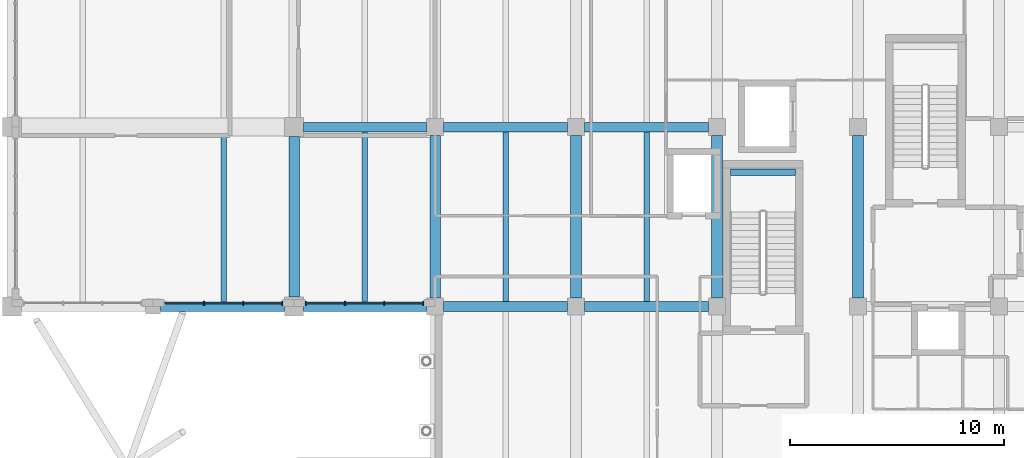
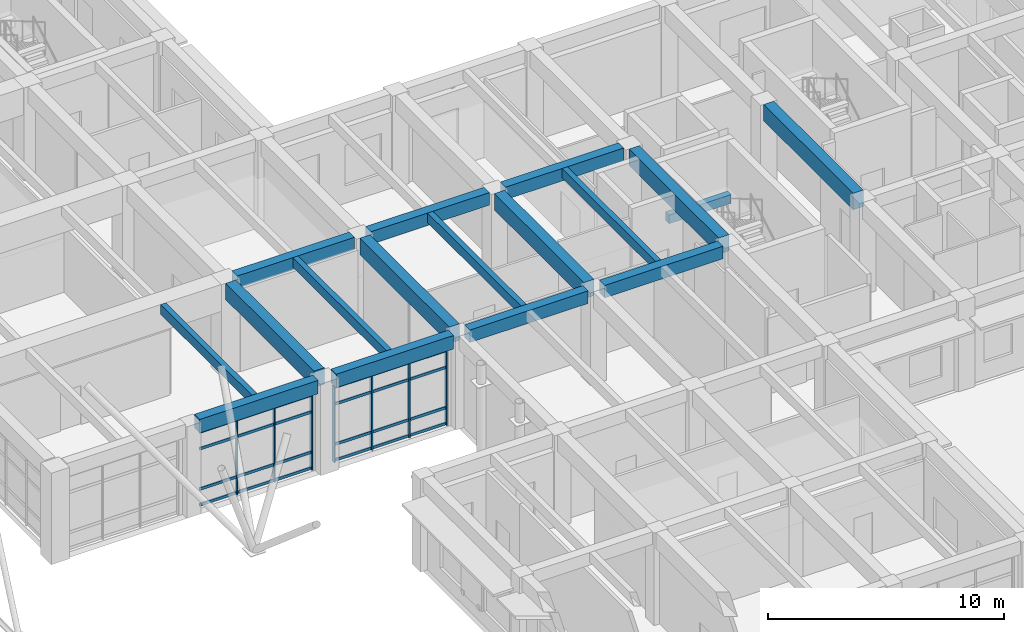
# One storey, part 28 of 75: 17 beams, 15 members, 2 elements without a shape of their own.
"""IFC4 building model written with IfcOpenShell, lengths in metres."""

from ifc_helpers import new_model, si_unit, direction, frame, origin, origin_2d, place, context, subcontext, project, spatial, rectangle, extrude, material, layer, layer_set, material_profile, profile_set, type_object, element, aggregate, save


model = new_model("IFC4")

# Units and contexts
model_context = context("Model", 3, precision=1e-05, world=origin(), true_north=direction((0.0, 1.0)))
body_context = subcontext(model_context, "Body", "Model", "MODEL_VIEW")
ifc_project = project(units=[si_unit("LENGTHUNIT", "METRE"), si_unit("AREAUNIT", "SQUARE_METRE"), si_unit("VOLUMEUNIT", "CUBIC_METRE"), si_unit("PLANEANGLEUNIT", "RADIAN"), si_unit("MASSUNIT", "GRAM", prefix="KILO")], contexts=[model_context])

# Site, building, storey
site_placement = place(None, origin())
site = spatial("IfcSite", under=ifc_project, at=site_placement, CompositionType="ELEMENT")
building_placement = place(site_placement, origin())
building = spatial("IfcBuilding", under=site, at=building_placement, Name="Kolvaren Faculty of Natural Sciences", CompositionType="ELEMENT")
storey_placement = place(building_placement, frame((0.0, 0.0, 5.39990234375)))
storey = spatial("IfcBuildingStorey", under=building, at=storey_placement, Name="L01", CompositionType="ELEMENT", Elevation=5.39990234375)

# Beam
ifc_material_1 = material(Name="Concrete C40/50", Category="concrete")
ifc_material_profile_1 = material_profile(ifc_material_1, rectangle(XDim=0.300048828125, YDim=0.449951171875, at=origin_2d()), Name="RC LNT 300x450")
ifc_profile_set_1 = profile_set([ifc_material_profile_1], Name="Concrete C40/50")
beam_type_1 = type_object("IfcBeamType", Name="CoreCouplingLintel_300x450", PredefinedType="LINTEL", material=ifc_profile_set_1)
beam_1_placement = place(storey_placement, frame((152.625, 73.679931640625, 1.97509765625), z_axis=(1.0, 0.0, 0.0), x_axis=(0.0, 1.0, 0.0)))
element("IfcBeam", 1, at=beam_1_placement, inside=storey, type_object=beam_type_1, Name="L01 ST-2 half-landing support lintel", PredefinedType="LINTEL", context=body_context, shape_type="SweptSolid", body=[
    extrude(rectangle(XDim=0.300048828125, YDim=0.449951171875, at=origin_2d()), origin(), (0.0, 0.0, 1.0), 3.050048828125),
])

# Curtain wall, members
ifc_material_2 = material(Name="Thermally broken anodised aluminium framing", Category="aluminium")
ifc_layer = layer(ifc_material_2, 0.179931640625)
ifc_layer_set = layer_set([ifc_layer], Name="Thermally broken anodised aluminium framing")
curtain_wall_type = type_object("IfcCurtainWallType", Name="CommonsCurtainWall_CW02", PredefinedType="NOTDEFINED", material=ifc_layer_set)
curtain_wall_1_placement = place(storey_placement, origin())
curtain_wall_1 = element("IfcCurtainWall", 2, at=curtain_wall_1_placement, inside=storey, type_object=curtain_wall_type, Name="L01 unitised curtain wall CW-02 (CW-L01-030)", PredefinedType="NOTDEFINED")
ifc_material_profile_2 = material_profile(ifc_material_2, rectangle(XDim=0.06005859375, YDim=0.179931640625, at=origin_2d()), Name="ALU MUL 60x180")
ifc_profile_set_2 = profile_set([ifc_material_profile_2], Name="Thermally broken anodised aluminium framing")
member_type_1 = type_object("IfcMemberType", Name="CurtainMullion_60x180", PredefinedType="MULLION", material=ifc_profile_set_2)
member_1_placement = place(storey_placement, frame((138.25, 67.56005859375, 0.0), z_axis=(0.0, 0.0, 1.0), x_axis=(-1.0, 0.0, 0.0)))
member_1 = element("IfcMember", 3, at=member_1_placement, type_object=member_type_1, Name="CW-L01-030 vertical mullion 1", PredefinedType="MULLION", context=body_context, shape_type="SweptSolid", body=[
    extrude(rectangle(XDim=0.06005859375, YDim=0.179931640625, at=origin_2d()), origin(), (0.0, 0.0, 1.0), 3.93505859375),
])
member_2_placement = place(storey_placement, frame((136.416748046875, 67.56005859375, 0.0), z_axis=(0.0, 0.0, 1.0), x_axis=(-1.0, 0.0, 0.0)))
member_2 = element("IfcMember", 4, at=member_2_placement, type_object=member_type_1, Name="CW-L01-030 vertical mullion 2", PredefinedType="MULLION", context=body_context, shape_type="SweptSolid", body=[
    extrude(rectangle(XDim=0.06005859375, YDim=0.179931640625, at=origin_2d()), origin(), (0.0, 0.0, 1.0), 3.93505859375),
])
member_3_placement = place(storey_placement, frame((134.583251953125, 67.56005859375, 0.0), z_axis=(0.0, 0.0, 1.0), x_axis=(-1.0, 0.0, 0.0)))
member_3 = element("IfcMember", 5, at=member_3_placement, type_object=member_type_1, Name="CW-L01-030 vertical mullion 3", PredefinedType="MULLION", context=body_context, shape_type="SweptSolid", body=[
    extrude(rectangle(XDim=0.06005859375, YDim=0.179931640625, at=origin_2d()), origin(), (0.0, 0.0, 1.0), 3.93505859375),
])
member_4_placement = place(storey_placement, frame((132.75, 67.56005859375, 0.0), z_axis=(0.0, 0.0, 1.0), x_axis=(-1.0, 0.0, 0.0)))
member_4 = element("IfcMember", 6, at=member_4_placement, type_object=member_type_1, Name="CW-L01-030 vertical mullion 4", PredefinedType="MULLION", context=body_context, shape_type="SweptSolid", body=[
    extrude(rectangle(XDim=0.06005859375, YDim=0.179931640625, at=origin_2d()), origin(), (0.0, 0.0, 1.0), 3.93505859375),
])

curtain_wall_2_placement = place(storey_placement, origin())
curtain_wall_2 = element("IfcCurtainWall", 7, at=curtain_wall_2_placement, inside=storey, type_object=curtain_wall_type, Name="L01 unitised curtain wall CW-02 (CW-L01-031)", PredefinedType="NOTDEFINED")
member_5_placement = place(storey_placement, frame((131.64990234375, 67.56005859375, 0.0), z_axis=(0.0, 0.0, 1.0), x_axis=(-1.0, 0.0, 0.0)))
member_5 = element("IfcMember", 8, at=member_5_placement, type_object=member_type_1, Name="CW-L01-031 vertical mullion 1", PredefinedType="MULLION", context=body_context, shape_type="SweptSolid", body=[
    extrude(rectangle(XDim=0.06005859375, YDim=0.179931640625, at=origin_2d()), origin(), (0.0, 0.0, 1.0), 3.93505859375),
])
member_6_placement = place(storey_placement, frame((129.816650390625, 67.56005859375, 0.0), z_axis=(0.0, 0.0, 1.0), x_axis=(-1.0, 0.0, 0.0)))
member_6 = element("IfcMember", 9, at=member_6_placement, type_object=member_type_1, Name="CW-L01-031 vertical mullion 2", PredefinedType="MULLION", context=body_context, shape_type="SweptSolid", body=[
    extrude(rectangle(XDim=0.06005859375, YDim=0.179931640625, at=origin_2d()), origin(), (0.0, 0.0, 1.0), 3.93505859375),
])
member_7_placement = place(storey_placement, frame((127.9833984375, 67.56005859375, 0.0), z_axis=(0.0, 0.0, 1.0), x_axis=(-1.0, 0.0, 0.0)))
member_7 = element("IfcMember", 10, at=member_7_placement, type_object=member_type_1, Name="CW-L01-031 vertical mullion 3", PredefinedType="MULLION", context=body_context, shape_type="SweptSolid", body=[
    extrude(rectangle(XDim=0.06005859375, YDim=0.179931640625, at=origin_2d()), origin(), (0.0, 0.0, 1.0), 3.93505859375),
])

# Member
ifc_material_profile_3 = material_profile(ifc_material_2, rectangle(XDim=0.06005859375, YDim=0.139892578125, at=origin_2d()), Name="ALU TRN 60x140")
ifc_profile_set_3 = profile_set([ifc_material_profile_3], Name="Thermally broken anodised aluminium framing")
member_type_2 = type_object("IfcMemberType", Name="CurtainTransom_60x140", PredefinedType="USERDEFINED", material=ifc_profile_set_3)
member_8_placement = place(storey_placement, frame((138.25, 67.56005859375, 0.080078125), z_axis=(-1.0, 0.0, 0.0), x_axis=(0.0, -1.0, 0.0)))
member_8 = element("IfcMember", 11, at=member_8_placement, type_object=member_type_2, Name="CW-L01-030 horizontal transom 1", ObjectType="TRANSOM", PredefinedType="USERDEFINED", context=body_context, shape_type="SweptSolid", body=[
    extrude(rectangle(XDim=0.06005859375, YDim=0.139892578125, at=origin_2d()), origin(), (0.0, 0.0, 1.0), 5.5),
])

member_9_placement = place(storey_placement, frame((138.25, 67.56005859375, 0.900146484375), z_axis=(-1.0, 0.0, 0.0), x_axis=(0.0, -1.0, 0.0)))
member_9 = element("IfcMember", 12, at=member_9_placement, type_object=member_type_2, Name="CW-L01-030 horizontal transom 2", ObjectType="TRANSOM", PredefinedType="USERDEFINED", context=body_context, shape_type="SweptSolid", body=[
    extrude(rectangle(XDim=0.06005859375, YDim=0.139892578125, at=origin_2d()), origin(), (0.0, 0.0, 1.0), 5.5),
])

member_10_placement = place(storey_placement, frame((138.25, 67.56005859375, 2.985107421875), z_axis=(-1.0, 0.0, 0.0), x_axis=(0.0, -1.0, 0.0)))
member_10 = element("IfcMember", 13, at=member_10_placement, type_object=member_type_2, Name="CW-L01-030 horizontal transom 3", ObjectType="TRANSOM", PredefinedType="USERDEFINED", context=body_context, shape_type="SweptSolid", body=[
    extrude(rectangle(XDim=0.06005859375, YDim=0.139892578125, at=origin_2d()), origin(), (0.0, 0.0, 1.0), 5.5),
])

member_11_placement = place(storey_placement, frame((138.25, 67.56005859375, 3.85498046875), z_axis=(-1.0, 0.0, 0.0), x_axis=(0.0, -1.0, 0.0)))
member_11 = element("IfcMember", 14, at=member_11_placement, type_object=member_type_2, Name="CW-L01-030 horizontal transom 4", ObjectType="TRANSOM", PredefinedType="USERDEFINED", context=body_context, shape_type="SweptSolid", body=[
    extrude(rectangle(XDim=0.06005859375, YDim=0.139892578125, at=origin_2d()), origin(), (0.0, 0.0, 1.0), 5.5),
])

aggregate(curtain_wall_1, [member_1, member_2, member_3, member_4, member_8, member_9, member_10, member_11])

member_12_placement = place(storey_placement, frame((131.64990234375, 67.56005859375, 0.080078125), z_axis=(-1.0, 0.0, 0.0), x_axis=(0.0, -1.0, 0.0)))
member_12 = element("IfcMember", 15, at=member_12_placement, type_object=member_type_2, Name="CW-L01-031 horizontal transom 1", ObjectType="TRANSOM", PredefinedType="USERDEFINED", context=body_context, shape_type="SweptSolid", body=[
    extrude(rectangle(XDim=0.06005859375, YDim=0.139892578125, at=origin_2d()), origin(), (0.0, 0.0, 1.0), 5.5),
])

member_13_placement = place(storey_placement, frame((131.64990234375, 67.56005859375, 0.900146484375), z_axis=(-1.0, 0.0, 0.0), x_axis=(0.0, -1.0, 0.0)))
member_13 = element("IfcMember", 16, at=member_13_placement, type_object=member_type_2, Name="CW-L01-031 horizontal transom 2", ObjectType="TRANSOM", PredefinedType="USERDEFINED", context=body_context, shape_type="SweptSolid", body=[
    extrude(rectangle(XDim=0.06005859375, YDim=0.139892578125, at=origin_2d()), origin(), (0.0, 0.0, 1.0), 5.5),
])

member_14_placement = place(storey_placement, frame((131.64990234375, 67.56005859375, 2.985107421875), z_axis=(-1.0, 0.0, 0.0), x_axis=(0.0, -1.0, 0.0)))
member_14 = element("IfcMember", 17, at=member_14_placement, type_object=member_type_2, Name="CW-L01-031 horizontal transom 3", ObjectType="TRANSOM", PredefinedType="USERDEFINED", context=body_context, shape_type="SweptSolid", body=[
    extrude(rectangle(XDim=0.06005859375, YDim=0.139892578125, at=origin_2d()), origin(), (0.0, 0.0, 1.0), 5.5),
])

member_15_placement = place(storey_placement, frame((131.64990234375, 67.56005859375, 3.85498046875), z_axis=(-1.0, 0.0, 0.0), x_axis=(0.0, -1.0, 0.0)))
member_15 = element("IfcMember", 18, at=member_15_placement, type_object=member_type_2, Name="CW-L01-031 horizontal transom 4", ObjectType="TRANSOM", PredefinedType="USERDEFINED", context=body_context, shape_type="SweptSolid", body=[
    extrude(rectangle(XDim=0.06005859375, YDim=0.139892578125, at=origin_2d()), origin(), (0.0, 0.0, 1.0), 5.5),
])

aggregate(curtain_wall_2, [member_5, member_6, member_7, member_12, member_13, member_14, member_15])

# Beams
ifc_material_3 = material(Name="Concrete C35/45", Category="concrete")
ifc_material_profile_4 = material_profile(ifc_material_3, rectangle(XDim=0.449951171875, YDim=0.64990234375, at=origin_2d()), Name="RC BM 450x650")
ifc_profile_set_4 = profile_set([ifc_material_profile_4], Name="Concrete C35/45")
beam_type_2 = type_object("IfcBeamType", Name="GridBeam_450x650", PredefinedType="BEAM", material=ifc_profile_set_4)
for number, where, z_axis, x_axis, name in (
    (19, (139.199951171875, 67.39990234375, 4.47509765625), (1.0, 0.0, 0.0), (0.0, 1.0, 0.0), "L01 beam BM-65 on grid J"),
    (20, (145.800048828125, 67.39990234375, 4.47509765625), (1.0, 0.0, 0.0), (0.0, 1.0, 0.0), "L01 beam BM-65 on grid J"),
):
    element("IfcBeam", number, at=place(storey_placement, frame(where, z_axis=z_axis, x_axis=x_axis)), inside=storey, type_object=beam_type_2, Name=name, PredefinedType="BEAM", context=body_context, shape_type="SweptSolid", body=[
        extrude(rectangle(XDim=0.449951171875, YDim=0.64990234375, at=origin_2d()), origin(), (0.0, 0.0, 1.0), 5.800048828125),
    ])
beam_2_placement = place(storey_placement, frame((132.64990234375, 75.800048828125, 4.47509765625), z_axis=(1.0, 0.0, 0.0), x_axis=(0.0, 1.0, 0.0)))
element("IfcBeam", 21, at=beam_2_placement, inside=storey, type_object=beam_type_2, Name="L01 beam BM-65 on grid K", PredefinedType="BEAM", context=body_context, shape_type="SweptSolid", body=[
    extrude(rectangle(XDim=0.449951171875, YDim=0.64990234375, at=origin_2d()), origin(), (0.0, 0.0, 1.0), 5.75),
])
for number, where, z_axis, x_axis, name in (
    (22, (139.199951171875, 75.800048828125, 4.47509765625), (1.0, 0.0, 0.0), (0.0, 1.0, 0.0), "L01 beam BM-65 on grid K"),
    (23, (145.800048828125, 75.800048828125, 4.47509765625), (1.0, 0.0, 0.0), (0.0, 1.0, 0.0), "L01 beam BM-65 on grid K"),
):
    element("IfcBeam", number, at=place(storey_placement, frame(where, z_axis=z_axis, x_axis=x_axis)), inside=storey, type_object=beam_type_2, Name=name, PredefinedType="BEAM", context=body_context, shape_type="SweptSolid", body=[
        extrude(rectangle(XDim=0.449951171875, YDim=0.64990234375, at=origin_2d()), origin(), (0.0, 0.0, 1.0), 5.800048828125),
    ])
ifc_material_profile_5 = material_profile(ifc_material_3, rectangle(XDim=0.260009765625, YDim=0.5, at=origin_2d()), Name="RC JST 260x500")
ifc_profile_set_5 = profile_set([ifc_material_profile_5], Name="Concrete C35/45")
beam_type_3 = type_object("IfcBeamType", Name="LabRibJoist_260x500", PredefinedType="JOIST", material=ifc_profile_set_5)
beam_3_placement = place(storey_placement, frame((128.89990234375, 67.625, 4.550048828125), z_axis=(0.0, 1.0, 0.0), x_axis=(-1.0, 0.0, 0.0)))
element("IfcBeam", 24, at=beam_3_placement, inside=storey, type_object=beam_type_3, Name="L01 ribbed laboratory slab joist JS-50", PredefinedType="JOIST", context=body_context, shape_type="SweptSolid", body=[
    extrude(rectangle(XDim=0.260009765625, YDim=0.5, at=origin_2d()), origin(), (0.0, 0.0, 1.0), 7.75),
])
for number, where, z_axis, x_axis, name in (
    (25, (135.5, 67.625, 4.550048828125), (0.0, 1.0, 0.0), (-1.0, 0.0, 0.0), "L01 ribbed laboratory slab joist JS-50"),
    (26, (142.10009765625, 67.625, 4.550048828125), (0.0, 1.0, 0.0), (-1.0, 0.0, 0.0), "L01 ribbed laboratory slab joist JS-50"),
    (27, (148.699951171875, 67.625, 4.550048828125), (0.0, 1.0, 0.0), (-1.0, 0.0, 0.0), "L01 ribbed laboratory slab joist JS-50"),
):
    element("IfcBeam", number, at=place(storey_placement, frame(where, z_axis=z_axis, x_axis=x_axis)), inside=storey, type_object=beam_type_3, Name=name, PredefinedType="JOIST", context=body_context, shape_type="SweptSolid", body=[
        extrude(rectangle(XDim=0.260009765625, YDim=0.5, at=origin_2d()), origin(), (0.0, 0.0, 1.0), 7.949951171875),
    ])
ifc_material_profile_6 = material_profile(ifc_material_3, rectangle(XDim=0.449951171875, YDim=0.699951171875, at=origin_2d()), Name="RC SP 450x700")
ifc_profile_set_6 = profile_set([ifc_material_profile_6], Name="Concrete C35/45")
beam_type_4 = type_object("IfcBeamType", Name="PerimeterSpandrel_450x700", PredefinedType="SPANDREL", material=ifc_profile_set_6)
beam_4_placement = place(storey_placement, frame((125.949951171875, 67.39990234375, 4.4501953125), z_axis=(1.0, 0.0, 0.0), x_axis=(0.0, 1.0, 0.0)))
element("IfcBeam", 28, at=beam_4_placement, inside=storey, type_object=beam_type_4, Name="L01 spandrel SP-70 on grid J", PredefinedType="SPANDREL", context=body_context, shape_type="SweptSolid", body=[
    extrude(rectangle(XDim=0.449951171875, YDim=0.699951171875, at=origin_2d()), origin(), (0.0, 0.0, 1.0), 5.800048828125),
])
beam_5_placement = place(storey_placement, frame((132.64990234375, 67.39990234375, 4.4501953125), z_axis=(1.0, 0.0, 0.0), x_axis=(0.0, 1.0, 0.0)))
element("IfcBeam", 29, at=beam_5_placement, inside=storey, type_object=beam_type_4, Name="L01 spandrel SP-70 on grid J", PredefinedType="SPANDREL", context=body_context, shape_type="SweptSolid", body=[
    extrude(rectangle(XDim=0.449951171875, YDim=0.699951171875, at=origin_2d()), origin(), (0.0, 0.0, 1.0), 5.75),
])
ifc_material_profile_7 = material_profile(ifc_material_3, rectangle(XDim=0.5, YDim=0.85009765625, at=origin_2d()), Name="RC BM 500x850")
ifc_profile_set_7 = profile_set([ifc_material_profile_7], Name="Concrete C35/45")
beam_type_5 = type_object("IfcBeamType", Name="PrimaryGirder_500x850", PredefinedType="BEAM", material=ifc_profile_set_7)
beam_6_placement = place(storey_placement, frame((132.199951171875, 67.85009765625, 4.375), z_axis=(0.0, 1.0, 0.0), x_axis=(-1.0, 0.0, 0.0)))
element("IfcBeam", 30, at=beam_6_placement, inside=storey, type_object=beam_type_5, Name="L01 girder BG-85 on grid 21", PredefinedType="BEAM", context=body_context, shape_type="SweptSolid", body=[
    extrude(rectangle(XDim=0.5, YDim=0.85009765625, at=origin_2d()), origin(), (0.0, 0.0, 1.0), 7.5),
])
for number, where, z_axis, x_axis, name in (
    (31, (138.800048828125, 67.800048828125, 4.375), (0.0, 1.0, 0.0), (-1.0, 0.0, 0.0), "L01 girder BG-85 on grid 22"),
    (32, (145.39990234375, 67.800048828125, 4.375), (0.0, 1.0, 0.0), (-1.0, 0.0, 0.0), "L01 girder BG-85 on grid 23"),
    (33, (152.0, 67.800048828125, 4.375), (0.0, 1.0, 0.0), (-1.0, 0.0, 0.0), "L01 girder BG-85 on grid 24"),
    (34, (158.60009765625, 67.800048828125, 4.375), (0.0, 1.0, 0.0), (-1.0, 0.0, 0.0), "L01 girder BG-85 on grid 25"),
):
    element("IfcBeam", number, at=place(storey_placement, frame(where, z_axis=z_axis, x_axis=x_axis)), inside=storey, type_object=beam_type_5, Name=name, PredefinedType="BEAM", context=body_context, shape_type="SweptSolid", body=[
        extrude(rectangle(XDim=0.5, YDim=0.85009765625, at=origin_2d()), origin(), (0.0, 0.0, 1.0), 7.599853515625),
    ])

save(model, "model.ifc")
